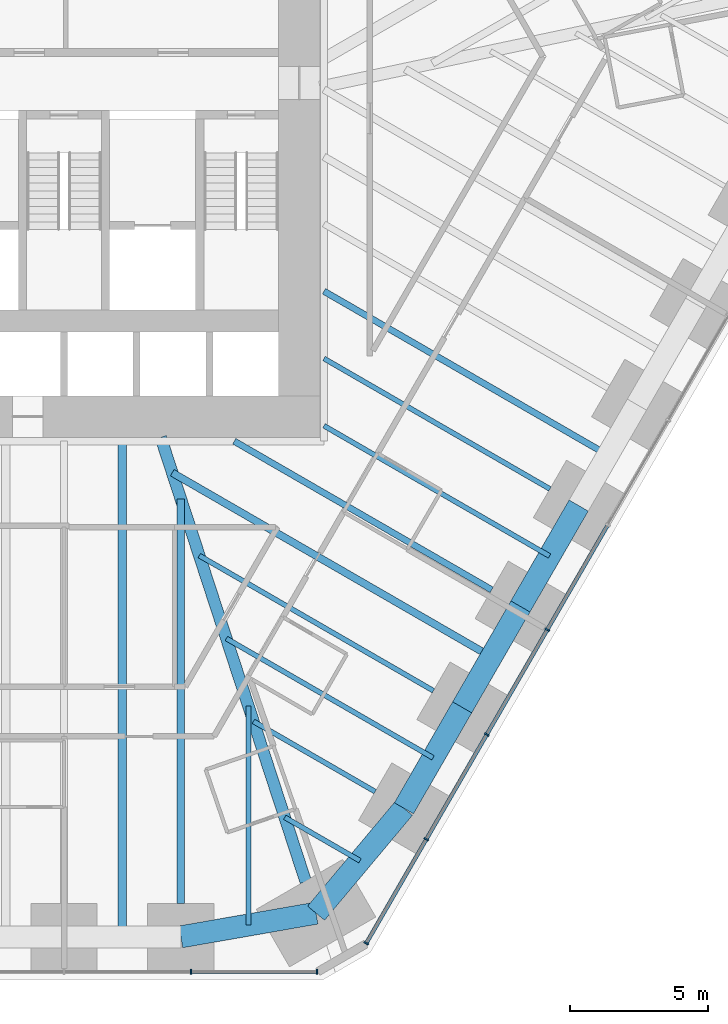
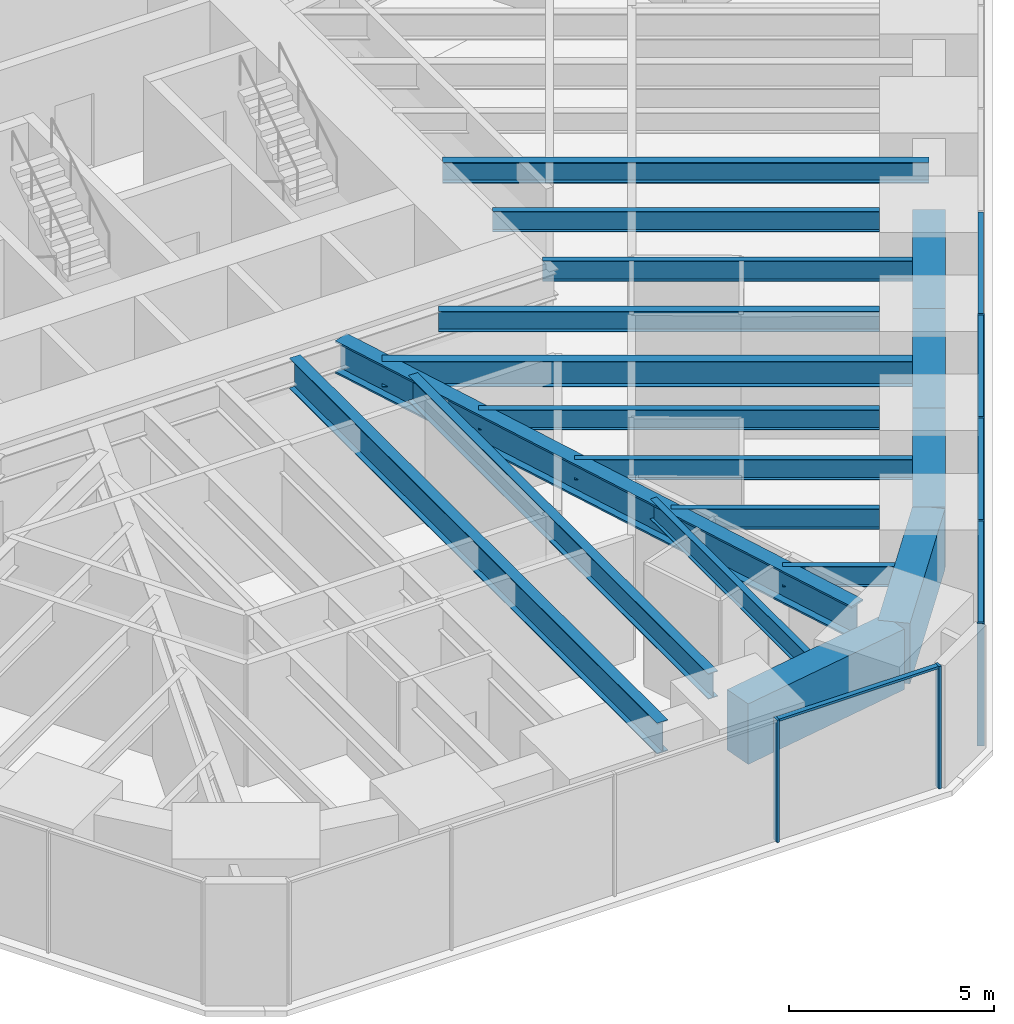
# One storey, part 5 of 17: 18 beams, 11 members, 2 elements without a shape of their own.
"""IFC4 building model written with IfcOpenShell, lengths in metres."""

from ifc_helpers import new_model, si_unit, direction, frame, origin, origin_2d, place, context, subcontext, project, spatial, rectangle, i_section, extrude, material, material_profile, profile_set, type_object, element, aggregate, save


model = new_model("IFC4")

# Units and contexts
model_context = context("Model", 3, precision=1e-05, world=origin(), true_north=direction((0.0, 1.0)))
body_context = subcontext(model_context, "Body", "Model", "MODEL_VIEW")
ifc_project = project(units=[si_unit("LENGTHUNIT", "METRE"), si_unit("AREAUNIT", "SQUARE_METRE"), si_unit("VOLUMEUNIT", "CUBIC_METRE"), si_unit("PLANEANGLEUNIT", "RADIAN"), si_unit("MASSUNIT", "GRAM", prefix="KILO")], contexts=[model_context])

# Site, building, storey
site_placement = place(None, origin())
site = spatial("IfcSite", under=ifc_project, at=site_placement, CompositionType="ELEMENT")
building_placement = place(site_placement, origin())
building = spatial("IfcBuilding", under=site, at=building_placement, Name="Sandreach Pilgrim Tower", CompositionType="ELEMENT")
storey_placement = place(building_placement, frame((0.0, 0.0, 49.60009765625)))
storey = spatial("IfcBuildingStorey", under=building, at=storey_placement, Name="L11", CompositionType="ELEMENT", Elevation=49.60009765625)

# Curtain wall, members
ifc_material_1 = material(Name="Aluminium framed curtain wall", Category="aluminium")
curtain_wall_type = type_object("IfcCurtainWallType", Name="Hostel tower curtain wall", PredefinedType="NOTDEFINED", material=ifc_material_1)
curtain_wall_1_placement = place(storey_placement, origin())
curtain_wall_1 = element("IfcCurtainWall", 1, at=curtain_wall_1_placement, inside=storey, type_object=curtain_wall_type, Name="CW-1 L11 SE", PredefinedType="NOTDEFINED")
ifc_material_2 = material(Name="Aluminium extrusion", Category="aluminium")
ifc_material_profile_1 = material_profile(ifc_material_2, rectangle(XDim=0.06494140625, YDim=0.179931640625, at=origin_2d()), Name="CW-1M 65X180")
ifc_profile_set_1 = profile_set([ifc_material_profile_1], Name="Aluminium extrusion")
member_type_1 = type_object("IfcMemberType", Name="CW-1 mullion", PredefinedType="MULLION", material=ifc_profile_set_1)
member_1_placement = place(storey_placement, frame((17.46142578125, -17.6533203125, 0.0), z_axis=(0.0, 0.0, 1.0), x_axis=(-0.5, -0.866025403784, 0.0)))
member_1 = element("IfcMember", 2, at=member_1_placement, type_object=member_type_1, Name="CW-1 mullion 7", PredefinedType="MULLION", context=body_context, shape_type="SweptSolid", body=[
    extrude(rectangle(XDim=0.06494140625, YDim=0.179931640625, at=origin_2d()), origin(), (0.0, 0.0, 1.0), 3.639892578125),
])
member_2_placement = place(storey_placement, frame((15.275634765625, -21.439208984375, 0.0), z_axis=(0.0, 0.0, 1.0), x_axis=(-0.5, -0.866025403784, 0.0)))
member_2 = element("IfcMember", 3, at=member_2_placement, type_object=member_type_1, Name="CW-1 mullion 8", PredefinedType="MULLION", context=body_context, shape_type="SweptSolid", body=[
    extrude(rectangle(XDim=0.06494140625, YDim=0.179931640625, at=origin_2d()), origin(), (0.0, 0.0, 1.0), 3.639892578125),
])
member_3_placement = place(storey_placement, frame((13.08984375, -25.22509765625, 0.0), z_axis=(0.0, 0.0, 1.0), x_axis=(-0.5, -0.866025403784, 0.0)))
member_3 = element("IfcMember", 4, at=member_3_placement, type_object=member_type_1, Name="CW-1 mullion 9", PredefinedType="MULLION", context=body_context, shape_type="SweptSolid", body=[
    extrude(rectangle(XDim=0.06494140625, YDim=0.179931640625, at=origin_2d()), origin(), (0.0, 0.0, 1.0), 3.639892578125),
])
member_4_placement = place(storey_placement, frame((10.92041015625, -28.982666015625, 0.0), z_axis=(0.0, 0.0, 1.0), x_axis=(-0.5, -0.866025403784, 0.0)))
member_4 = element("IfcMember", 5, at=member_4_placement, type_object=member_type_1, Name="CW-1 mullion 10", PredefinedType="MULLION", context=body_context, shape_type="SweptSolid", body=[
    extrude(rectangle(XDim=0.06494140625, YDim=0.179931640625, at=origin_2d()), origin(), (0.0, 0.0, 1.0), 3.639892578125),
])

curtain_wall_2_placement = place(storey_placement, origin())
curtain_wall_2 = element("IfcCurtainWall", 6, at=curtain_wall_2_placement, inside=storey, type_object=curtain_wall_type, Name="CW-1 L11 S", PredefinedType="NOTDEFINED")
member_5_placement = place(storey_placement, frame((9.1396484375, -30.010986328125, 0.0), z_axis=(0.0, 0.0, 1.0), x_axis=(-1.0, 0.0, 0.0)))
member_5 = element("IfcMember", 7, at=member_5_placement, type_object=member_type_1, Name="CW-1 mullion 1", PredefinedType="MULLION", context=body_context, shape_type="SweptSolid", body=[
    extrude(rectangle(XDim=0.06494140625, YDim=0.179931640625, at=origin_2d()), origin(), (0.0, 0.0, 1.0), 3.639892578125),
])
member_6_placement = place(storey_placement, frame((4.5859375, -30.010986328125, 0.0), z_axis=(0.0, 0.0, 1.0), x_axis=(-1.0, 0.0, 0.0)))
member_6 = element("IfcMember", 8, at=member_6_placement, type_object=member_type_1, Name="CW-1 mullion 2", PredefinedType="MULLION", context=body_context, shape_type="SweptSolid", body=[
    extrude(rectangle(XDim=0.06494140625, YDim=0.179931640625, at=origin_2d()), origin(), (0.0, 0.0, 1.0), 3.639892578125),
])

# Member
ifc_material_3 = material(Name="Aluminium extrusion", Category="aluminium")
ifc_material_profile_2 = material_profile(ifc_material_3, rectangle(XDim=0.139892578125, YDim=0.070068359375, at=origin_2d()), Name="CW-1T 140X70")
ifc_profile_set_2 = profile_set([ifc_material_profile_2], Name="Aluminium extrusion")
member_type_2 = type_object("IfcMemberType", Name="CW-1 transom", PredefinedType="USERDEFINED", material=ifc_profile_set_2)
member_7_placement = place(storey_placement, frame((19.631103515625, -13.8955078125, 3.60498046875), z_axis=(-0.500016891966, -0.866015650984, 0.0), x_axis=(0.866015650984, -0.500016891966, 0.0)))
member_7 = element("IfcMember", 9, at=member_7_placement, type_object=member_type_2, Name="CW-1 head transom 6", ObjectType="TRANSOM", PredefinedType="USERDEFINED", context=body_context, shape_type="SweptSolid", body=[
    extrude(rectangle(XDim=0.139892578125, YDim=0.070068359375, at=origin_2d()), origin(), (0.0, 0.0, 1.0), 4.306396484375),
])

member_8_placement = place(storey_placement, frame((17.4453125, -17.681396484375, 3.60498046875), z_axis=(-0.500016891966, -0.866015650984, 0.0), x_axis=(0.866015650984, -0.500016891966, 0.0)))
member_8 = element("IfcMember", 10, at=member_8_placement, type_object=member_type_2, Name="CW-1 head transom 7", ObjectType="TRANSOM", PredefinedType="USERDEFINED", context=body_context, shape_type="SweptSolid", body=[
    extrude(rectangle(XDim=0.139892578125, YDim=0.070068359375, at=origin_2d()), origin(), (0.0, 0.0, 1.0), 4.306396484375),
])

member_9_placement = place(storey_placement, frame((15.259521484375, -21.46728515625, 3.60498046875), z_axis=(-0.500016891966, -0.866015650984, 0.0), x_axis=(0.866015650984, -0.500016891966, 0.0)))
member_9 = element("IfcMember", 11, at=member_9_placement, type_object=member_type_2, Name="CW-1 head transom 8", ObjectType="TRANSOM", PredefinedType="USERDEFINED", context=body_context, shape_type="SweptSolid", body=[
    extrude(rectangle(XDim=0.139892578125, YDim=0.070068359375, at=origin_2d()), origin(), (0.0, 0.0, 1.0), 4.306396484375),
])

member_10_placement = place(storey_placement, frame((13.07373046875, -25.253173828125, 3.60498046875), z_axis=(-0.500033953635, -0.866005799756, 0.0), x_axis=(0.866005799756, -0.500033953635, 0.0)))
member_10 = element("IfcMember", 12, at=member_10_placement, type_object=member_type_2, Name="CW-1 head transom 9", ObjectType="TRANSOM", PredefinedType="USERDEFINED", context=body_context, shape_type="SweptSolid", body=[
    extrude(rectangle(XDim=0.139892578125, YDim=0.070068359375, at=origin_2d()), origin(), (0.0, 0.0, 1.0), 4.274169921875),
])

aggregate(curtain_wall_1, [member_1, member_2, member_3, member_4, member_7, member_8, member_9, member_10])

member_11_placement = place(storey_placement, frame((9.107177734375, -30.010986328125, 3.60498046875), z_axis=(-1.0, 0.0, 0.0), x_axis=(0.0, -1.0, 0.0)))
member_11 = element("IfcMember", 13, at=member_11_placement, type_object=member_type_2, Name="CW-1 head transom 1", ObjectType="TRANSOM", PredefinedType="USERDEFINED", context=body_context, shape_type="SweptSolid", body=[
    extrude(rectangle(XDim=0.139892578125, YDim=0.070068359375, at=origin_2d()), origin(), (0.0, 0.0, 1.0), 4.488525390625),
])

aggregate(curtain_wall_2, [member_5, member_6, member_11])

# Beams
ifc_material_4 = material(Name="Steel ASTM A992 Grade 50", Category="steel")
ifc_material_profile_3 = material_profile(ifc_material_4, i_section(OverallWidth=0.424072265625, OverallDepth=0.965087890625, WebThickness=0.028564453125, FlangeThickness=0.051025390625, at=origin_2d()), Name="W36X361")
ifc_profile_set_3 = profile_set([ifc_material_profile_3], Name="Steel ASTM A992 Grade 50")
beam_type_1 = type_object("IfcBeamType", Name="Corner girder W36X361", PredefinedType="BEAM", material=ifc_profile_set_3)
beam_1_placement = place(storey_placement, frame((8.73388671875, -26.756103515625, 3.1572265625), z_axis=(-0.310315410754, 0.950633654911, 0.0), x_axis=(-0.950633654911, -0.310315410754, 0.0)))
element("IfcBeam", 14, at=beam_1_placement, inside=storey, type_object=beam_type_1, Name="BM L11 CG22", PredefinedType="BEAM", context=body_context, shape_type="SweptSolid", body=[
    extrude(i_section(OverallWidth=0.424072265625, OverallDepth=0.965087890625, WebThickness=0.028564453125, FlangeThickness=0.051025390625, at=origin_2d()), origin(), (0.0, 0.0, 1.0), 16.889892578125),
])
ifc_material_5 = material(Name="Steel ASTM A992 Grade 50", Category="steel")
ifc_material_profile_4 = material_profile(ifc_material_5, i_section(OverallWidth=0.1787109375, OverallDepth=0.60205078125, WebThickness=0.010986328125, FlangeThickness=0.014892578125, at=origin_2d()), Name="W24X62")
ifc_profile_set_4 = profile_set([ifc_material_profile_4], Name="Steel ASTM A992 Grade 50")
beam_type_2 = type_object("IfcBeamType", Name="Floor beam W24X62", PredefinedType="BEAM", material=ifc_profile_set_4)
beam_2_placement = place(storey_placement, frame((17.557373046875, -12.5673828125, 3.3388671875), z_axis=(-0.866020839647, 0.500007905235, 0.0), x_axis=(-0.500007905235, -0.866020839647, 0.0)))
element("IfcBeam", 15, at=beam_2_placement, inside=storey, type_object=beam_type_2, Name="BM L11 F18", PredefinedType="BEAM", context=body_context, shape_type="SweptSolid", body=[
    extrude(i_section(OverallWidth=0.1787109375, OverallDepth=0.60205078125, WebThickness=0.010986328125, FlangeThickness=0.014892578125, at=origin_2d()), origin(), (0.0, 0.0, 1.0), 9.427001953125),
])
beam_3_placement = place(storey_placement, frame((13.347412109375, -19.859130859375, 3.3388671875), z_axis=(-0.866025751498, 0.499999397742, 0.0), x_axis=(-0.499999397742, -0.866025751498, 0.0)))
element("IfcBeam", 16, at=beam_3_placement, inside=storey, type_object=beam_type_2, Name="BM L11 F20", PredefinedType="BEAM", context=body_context, shape_type="SweptSolid", body=[
    extrude(i_section(OverallWidth=0.1787109375, OverallDepth=0.60205078125, WebThickness=0.010986328125, FlangeThickness=0.014892578125, at=origin_2d()), origin(), (0.0, 0.0, 1.0), 9.767578125),
])
beam_4_placement = place(storey_placement, frame((11.242431640625, -23.5048828125, 3.3388671875), z_axis=(-0.866027897259, 0.49999568115, 0.0), x_axis=(-0.49999568115, -0.866027897259, 0.0)))
element("IfcBeam", 17, at=beam_4_placement, inside=storey, type_object=beam_type_2, Name="BM L11 F21", PredefinedType="BEAM", context=body_context, shape_type="SweptSolid", body=[
    extrude(i_section(OverallWidth=0.1787109375, OverallDepth=0.60205078125, WebThickness=0.010986328125, FlangeThickness=0.014892578125, at=origin_2d()), origin(), (0.0, 0.0, 1.0), 5.0791015625),
])
beam_5_placement = place(storey_placement, frame((17.5439453125, -14.990234375, 3.3388671875), z_axis=(-0.86602359238, 0.500003137431, 0.0), x_axis=(-0.500003137431, -0.86602359238, 0.0)))
element("IfcBeam", 18, at=beam_5_placement, inside=storey, type_object=beam_type_2, Name="BM L11 FM18", PredefinedType="BEAM", context=body_context, shape_type="SweptSolid", body=[
    extrude(i_section(OverallWidth=0.1787109375, OverallDepth=0.60205078125, WebThickness=0.010986328125, FlangeThickness=0.014892578125, at=origin_2d()), origin(), (0.0, 0.0, 1.0), 9.41162109375),
])
beam_6_placement = place(storey_placement, frame((13.334228515625, -22.281982421875, 3.3388671875), z_axis=(-0.86602717807, 0.499996926835, 0.0), x_axis=(-0.499996926835, -0.86602717807, 0.0)))
element("IfcBeam", 19, at=beam_6_placement, inside=storey, type_object=beam_type_2, Name="BM L11 FM20", PredefinedType="BEAM", context=body_context, shape_type="SweptSolid", body=[
    extrude(i_section(OverallWidth=0.1787109375, OverallDepth=0.60205078125, WebThickness=0.010986328125, FlangeThickness=0.014892578125, at=origin_2d()), origin(), (0.0, 0.0, 1.0), 8.62353515625),
])
beam_7_placement = place(storey_placement, frame((10.694091796875, -26.0009765625, 3.3388671875), z_axis=(-0.866023718453, 0.500002919068, 0.0), x_axis=(-0.500002919068, -0.866023718453, 0.0)))
element("IfcBeam", 20, at=beam_7_placement, inside=storey, type_object=beam_type_2, Name="BM L11 FM21", PredefinedType="BEAM", context=body_context, shape_type="SweptSolid", body=[
    extrude(i_section(OverallWidth=0.1787109375, OverallDepth=0.60205078125, WebThickness=0.010986328125, FlangeThickness=0.014892578125, at=origin_2d()), origin(), (0.0, 0.0, 1.0), 3.1396484375),
])
beam_8_placement = place(storey_placement, frame((6.664306640625, -28.323974609375, 3.3388671875), z_axis=(0.0, 1.0, 0.0), x_axis=(-1.0, 0.0, 0.0)))
element("IfcBeam", 21, at=beam_8_placement, inside=storey, type_object=beam_type_2, Name="BM L11 FM22", PredefinedType="BEAM", context=body_context, shape_type="SweptSolid", body=[
    extrude(i_section(OverallWidth=0.1787109375, OverallDepth=0.60205078125, WebThickness=0.010986328125, FlangeThickness=0.014892578125, at=origin_2d()), origin(), (0.0, 0.0, 1.0), 7.907958984375),
])
ifc_material_6 = material(Name="Steel ASTM A992 Grade 50", Category="steel")
ifc_material_profile_5 = material_profile(ifc_material_6, i_section(OverallWidth=0.23046875, OverallDepth=0.6171875, WebThickness=0.01318359375, FlangeThickness=0.022216796875, at=origin_2d()), Name="W24X94")
ifc_profile_set_5 = profile_set([ifc_material_profile_5], Name="Steel ASTM A992 Grade 50")
beam_type_3 = type_object("IfcBeamType", Name="Floor beam W24X94", PredefinedType="BEAM", material=ifc_profile_set_5)
beam_9_placement = place(storey_placement, frame((15.452392578125, -16.213134765625, 3.331298828125), z_axis=(-0.866028486751, 0.499994660107, 0.0), x_axis=(-0.499994660107, -0.866028486751, 0.0)))
element("IfcBeam", 22, at=beam_9_placement, inside=storey, type_object=beam_type_3, Name="BM L11 F19", PredefinedType="BEAM", context=body_context, shape_type="SweptSolid", body=[
    extrude(i_section(OverallWidth=0.23046875, OverallDepth=0.6171875, WebThickness=0.01318359375, FlangeThickness=0.022216796875, at=origin_2d()), origin(), (0.0, 0.0, 1.0), 10.73974609375),
])
beam_10_placement = place(storey_placement, frame((19.64892578125, -11.34423828125, 3.331298828125), z_axis=(-0.866032123691, 0.4999883606, 0.0), x_axis=(-0.4999883606, -0.866032123691, 0.0)))
element("IfcBeam", 23, at=beam_10_placement, inside=storey, type_object=beam_type_3, Name="BM L11 FM17", PredefinedType="BEAM", context=body_context, shape_type="SweptSolid", body=[
    extrude(i_section(OverallWidth=0.23046875, OverallDepth=0.6171875, WebThickness=0.01318359375, FlangeThickness=0.022216796875, at=origin_2d()), origin(), (0.0, 0.0, 1.0), 11.842041015625),
])
ifc_material_7 = material(Name="Steel ASTM A992 Grade 50", Category="steel")
ifc_material_profile_6 = material_profile(ifc_material_7, i_section(OverallWidth=0.2666015625, OverallDepth=0.761962890625, WebThickness=0.014404296875, FlangeThickness=0.021484375, at=origin_2d()), Name="W30X116")
ifc_profile_set_6 = profile_set([ifc_material_profile_6], Name="Steel ASTM A992 Grade 50")
beam_type_4 = type_object("IfcBeamType", Name="Floor beam W30X116", PredefinedType="BEAM", material=ifc_profile_set_6)
beam_11_placement = place(storey_placement, frame((4.222412109375, -27.55078125, 3.2587890625), z_axis=(0.0, 1.0, 0.0), x_axis=(-1.0, 0.0, 0.0)))
element("IfcBeam", 24, at=beam_11_placement, inside=storey, type_object=beam_type_4, Name="BM L11 F23", PredefinedType="BEAM", context=body_context, shape_type="SweptSolid", body=[
    extrude(i_section(OverallWidth=0.2666015625, OverallDepth=0.761962890625, WebThickness=0.014404296875, FlangeThickness=0.021484375, at=origin_2d()), origin(), (0.0, 0.0, 1.0), 14.61572265625),
])
beam_12_placement = place(storey_placement, frame((15.43896484375, -18.63623046875, 3.2587890625), z_axis=(-0.866021271874, 0.50000715661, 0.0), x_axis=(-0.50000715661, -0.866021271874, 0.0)))
element("IfcBeam", 25, at=beam_12_placement, inside=storey, type_object=beam_type_4, Name="BM L11 FM19", PredefinedType="BEAM", context=body_context, shape_type="SweptSolid", body=[
    extrude(i_section(OverallWidth=0.2666015625, OverallDepth=0.761962890625, WebThickness=0.014404296875, FlangeThickness=0.021484375, at=origin_2d()), origin(), (0.0, 0.0, 1.0), 13.311767578125),
])
ifc_material_8 = material(Name="Steel ASTM A992 Grade 50", Category="steel")
ifc_material_profile_7 = material_profile(ifc_material_8, i_section(OverallWidth=0.3046875, OverallDepth=0.914306640625, WebThickness=0.0166015625, FlangeThickness=0.02587890625, at=origin_2d()), Name="W36X160")
ifc_profile_set_7 = profile_set([ifc_material_profile_7], Name="Steel ASTM A992 Grade 50")
beam_type_5 = type_object("IfcBeamType", Name="Floor beam W36X160", PredefinedType="BEAM", material=ifc_profile_set_7)
beam_13_placement = place(storey_placement, frame((2.111083984375, -28.7509765625, 3.1826171875), z_axis=(0.0, 1.0, 0.0), x_axis=(-1.0, 0.0, 0.0)))
element("IfcBeam", 26, at=beam_13_placement, inside=storey, type_object=beam_type_5, Name="BM L11 FM23", PredefinedType="BEAM", context=body_context, shape_type="SweptSolid", body=[
    extrude(i_section(OverallWidth=0.3046875, OverallDepth=0.914306640625, WebThickness=0.0166015625, FlangeThickness=0.02587890625, at=origin_2d()), origin(), (0.0, 0.0, 1.0), 17.90771484375),
])
ifc_material_9 = material(Name="Concrete 10000 psi", Category="concrete")
ifc_material_profile_8 = material_profile(ifc_material_9, rectangle(XDim=0.800048828125, YDim=1.800048828125, at=origin_2d()), Name="RC800X1800")
ifc_profile_set_8 = profile_set([ifc_material_profile_8], Name="Concrete 10000 psi")
beam_type_6 = type_object("IfcBeamType", Name="Spandrel beam RC800X1800", PredefinedType="SPANDREL", material=ifc_profile_set_8)
beam_14_placement = place(storey_placement, frame((18.596435546875, -13.167236328125, 2.739990234375), z_axis=(-0.499993523031, -0.866029143232, 0.0), x_axis=(0.866029143232, -0.499993523031, 0.0)))
element("IfcBeam", 27, at=beam_14_placement, inside=storey, type_object=beam_type_6, Name="BM L11 SP18", PredefinedType="SPANDREL", context=body_context, shape_type="SweptSolid", body=[
    extrude(rectangle(XDim=0.800048828125, YDim=1.800048828125, at=origin_2d()), origin(), (0.0, 0.0, 1.0), 4.2099609375),
])
beam_15_placement = place(storey_placement, frame((16.491455078125, -16.813232421875, 2.739990234375), z_axis=(-0.499975138639, -0.866039757022, 0.0), x_axis=(0.866039757022, -0.499975138639, 0.0)))
element("IfcBeam", 28, at=beam_15_placement, inside=storey, type_object=beam_type_6, Name="BM L11 SP19", PredefinedType="SPANDREL", context=body_context, shape_type="SweptSolid", body=[
    extrude(rectangle(XDim=0.800048828125, YDim=1.800048828125, at=origin_2d()), origin(), (0.0, 0.0, 1.0), 4.209716796875),
])
beam_16_placement = place(storey_placement, frame((14.38671875, -20.458984375, 2.739990234375), z_axis=(-0.499993523031, -0.866029143232, 0.0), x_axis=(0.866029143232, -0.499993523031, 0.0)))
element("IfcBeam", 29, at=beam_16_placement, inside=storey, type_object=beam_type_6, Name="BM L11 SP20", PredefinedType="SPANDREL", context=body_context, shape_type="SweptSolid", body=[
    extrude(rectangle(XDim=0.800048828125, YDim=1.800048828125, at=origin_2d()), origin(), (0.0, 0.0, 1.0), 4.2099609375),
])
beam_17_placement = place(storey_placement, frame((12.28173828125, -24.10498046875, 2.739990234375), z_axis=(-0.642008193922, -0.766697775488, 0.0), x_axis=(0.766697775488, -0.642008193922, 0.0)))
element("IfcBeam", 30, at=beam_17_placement, inside=storey, type_object=beam_type_6, Name="BM L11 SP21", PredefinedType="SPANDREL", context=body_context, shape_type="SweptSolid", body=[
    extrude(rectangle(XDim=0.800048828125, YDim=1.800048828125, at=origin_2d()), origin(), (0.0, 0.0, 1.0), 4.94580078125),
])
beam_18_placement = place(storey_placement, frame((9.1064453125, -27.89697265625, 2.739990234375), z_axis=(-0.985054495501, -0.17224297052, 0.0), x_axis=(0.17224297052, -0.985054495501, 0.0)))
element("IfcBeam", 31, at=beam_18_placement, inside=storey, type_object=beam_type_6, Name="BM L11 SP22", PredefinedType="SPANDREL", context=body_context, shape_type="SweptSolid", body=[
    extrude(rectangle(XDim=0.800048828125, YDim=1.800048828125, at=origin_2d()), origin(), (0.0, 0.0, 1.0), 4.958251953125),
])

save(model, "model.ifc")
